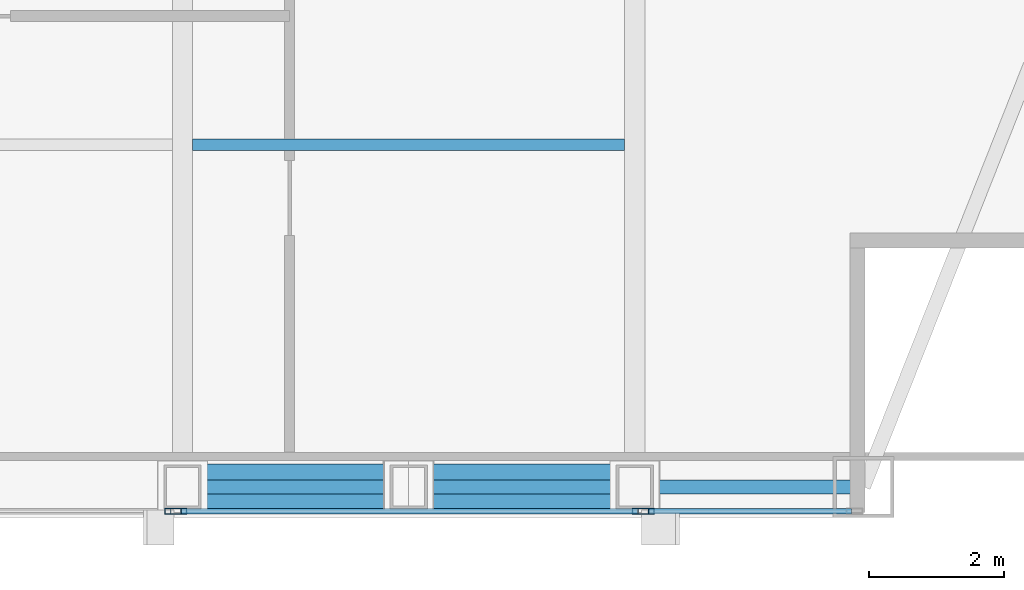
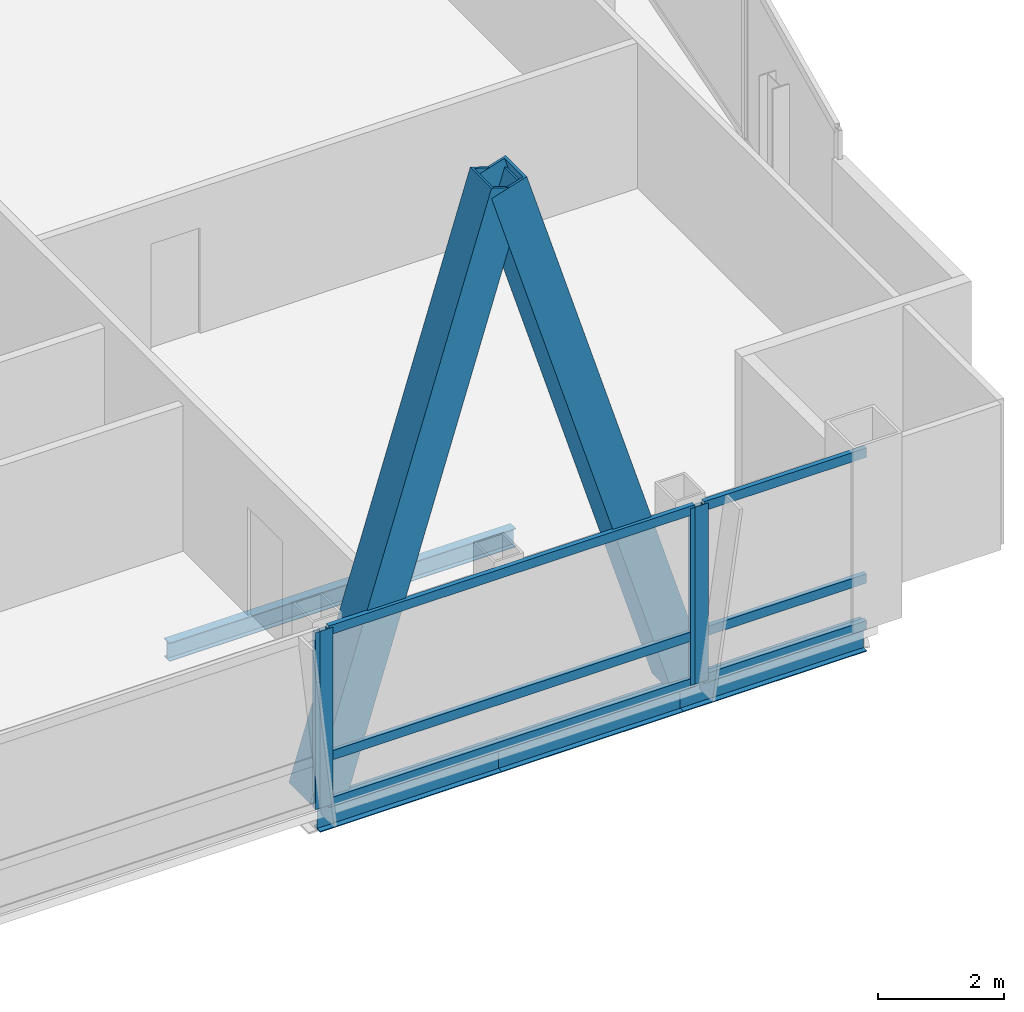
# One storey, part 13 of 29: 12 members, 4 beams, 3 elements without a shape of their own.
"""IFC4 building model written with IfcOpenShell, lengths in metres."""

from ifc_helpers import new_model, si_unit, direction, frame, origin, origin_2d, place, context, subcontext, project, spatial, hollow_rectangle, i_section, extrude, material, material_profile, profile_set, type_object, element, aggregate, save


model = new_model("IFC4")

# Units and contexts
model_context = context("Model", 3, precision=1e-05, world=origin(), true_north=direction((0.0, 1.0)))
body_context = subcontext(model_context, "Body", "Model", "MODEL_VIEW")
ifc_project = project(units=[si_unit("LENGTHUNIT", "METRE"), si_unit("AREAUNIT", "SQUARE_METRE"), si_unit("VOLUMEUNIT", "CUBIC_METRE"), si_unit("PLANEANGLEUNIT", "RADIAN"), si_unit("MASSUNIT", "GRAM", prefix="KILO")], contexts=[model_context])

# Site, building, storey
site_placement = place(None, origin())
site = spatial("IfcSite", under=ifc_project, at=site_placement, CompositionType="ELEMENT")
building_placement = place(site_placement, origin())
building = spatial("IfcBuilding", under=site, at=building_placement, Name="Khoronbel Lancet Exchange", CompositionType="ELEMENT")
storey_placement = place(building_placement, frame((0.0, 0.0, 314.60009765625)))
storey = spatial("IfcBuildingStorey", under=building, at=storey_placement, Name="L81", CompositionType="ELEMENT", Elevation=314.60009765625)

# Beams
ifc_material_1 = material(Name="Steel S355", Category="steel")
ifc_material_profile_1 = material_profile(ifc_material_1, i_section(OverallWidth=0.169921875, OverallDepth=0.360107421875, WebThickness=0.008056640625, FlangeThickness=0.0126953125, at=origin_2d()), Name="IPE 360")
ifc_profile_set_1 = profile_set([ifc_material_profile_1], Name="Steel S355")
beam_type_1 = type_object("IfcBeamType", Name="BM-BJ6", PredefinedType="JOIST", material=ifc_profile_set_1)
beam_1_placement = place(storey_placement, frame((48.14990234375, 15.199951171875, -0.340087890625), z_axis=(1.0, 0.0, 0.0), x_axis=(0.0, 1.0, 0.0)))
element("IfcBeam", 1, at=beam_1_placement, inside=storey, type_object=beam_type_1, Name="Level L81 secondary composite joist J03", PredefinedType="JOIST", context=body_context, shape_type="SweptSolid", body=[
    extrude(i_section(OverallWidth=0.169921875, OverallDepth=0.360107421875, WebThickness=0.008056640625, FlangeThickness=0.0126953125, at=origin_2d()), origin(), (0.0, 0.0, 1.0), 6.375),
])
ifc_material_profile_2 = material_profile(ifc_material_1, i_section(OverallWidth=0.2099609375, OverallDepth=0.550048828125, WebThickness=0.010986328125, FlangeThickness=0.01708984375, at=origin_2d()), Name="IPE 550")
ifc_profile_set_2 = profile_set([ifc_material_profile_2], Name="Steel S355")
beam_type_2 = type_object("IfcBeamType", Name="BM-BSP3", PredefinedType="SPANDREL", material=ifc_profile_set_2)
beam_2_placement = place(storey_placement, frame((48.0, 10.14990234375, -0.43505859375), z_axis=(1.0, 0.0, 0.0), x_axis=(0.0, 1.0, 0.0)))
element("IfcBeam", 2, at=beam_2_placement, inside=storey, type_object=beam_type_2, Name="Level L81 perimeter spandrel beam SP04", PredefinedType="SPANDREL", context=body_context, shape_type="SweptSolid", body=[
    extrude(i_section(OverallWidth=0.2099609375, OverallDepth=0.550048828125, WebThickness=0.010986328125, FlangeThickness=0.01708984375, at=origin_2d()), origin(), (0.0, 0.0, 1.0), 3.33740234375),
])
beam_3_placement = place(storey_placement, frame((51.33740234375, 10.14990234375, -0.43505859375), z_axis=(1.0, 0.0, 0.0), x_axis=(0.0, 1.0, 0.0)))
element("IfcBeam", 3, at=beam_3_placement, inside=storey, type_object=beam_type_2, Name="Level L81 perimeter spandrel beam SP05", PredefinedType="SPANDREL", context=body_context, shape_type="SweptSolid", body=[
    extrude(i_section(OverallWidth=0.2099609375, OverallDepth=0.550048828125, WebThickness=0.010986328125, FlangeThickness=0.01708984375, at=origin_2d()), origin(), (0.0, 0.0, 1.0), 3.337646484375),
])
beam_4_placement = place(storey_placement, frame((54.675048828125, 10.14990234375, -0.43505859375), z_axis=(1.0, 0.0, 0.0), x_axis=(0.0, 1.0, 0.0)))
element("IfcBeam", 4, at=beam_4_placement, inside=storey, type_object=beam_type_2, Name="Level L81 perimeter spandrel beam SP06", PredefinedType="SPANDREL", context=body_context, shape_type="SweptSolid", body=[
    extrude(i_section(OverallWidth=0.2099609375, OverallDepth=0.550048828125, WebThickness=0.010986328125, FlangeThickness=0.01708984375, at=origin_2d()), origin(), (0.0, 0.0, 1.0), 3.375),
])

# Curtain wall, member
ifc_material_2 = material(Name="Low-E Solar Control Insulating Glass", Category="glass")
curtain_wall_type = type_object("IfcCurtainWallType", Name="CW-3", PredefinedType="NOTDEFINED", material=ifc_material_2)
curtain_wall_1_placement = place(storey_placement, origin())
curtain_wall_1 = element("IfcCurtainWall", 5, at=curtain_wall_1_placement, inside=storey, type_object=curtain_wall_type, Name="Unitised curtain wall CW-L81-SCV", PredefinedType="NOTDEFINED")
ifc_material_3 = material(Name="Bronze-Anodised Aluminium 6063-T6", Category="aluminium")
ifc_material_profile_3 = material_profile(ifc_material_3, hollow_rectangle(XDim=0.0849609375, YDim=0.239990234375, WallThickness=0.006103515625, at=origin_2d()), Name="ALU MULLION 85x240")
ifc_profile_set_3 = profile_set([ifc_material_profile_3], Name="Bronze-Anodised Aluminium 6063-T6")
member_type_1 = type_object("IfcMemberType", Name="MEM-CWM1", PredefinedType="MULLION", material=ifc_profile_set_3)
member_1_placement = place(storey_placement, frame((47.857421875, 9.7900390625, 0.0), z_axis=(0.0, 0.0, 1.0), x_axis=(0.0, 1.0, 0.0)))
member_1 = element("IfcMember", 6, at=member_1_placement, type_object=member_type_1, Name="CW3 mullion 3", PredefinedType="MULLION", context=body_context, shape_type="SweptSolid", body=[
    extrude(hollow_rectangle(XDim=0.0849609375, YDim=0.239990234375, WallThickness=0.006103515625, at=origin_2d()), origin(), (0.0, 0.0, 1.0), 3.43994140625),
])
aggregate(curtain_wall_1, [member_1])

# Curtain wall, members
curtain_wall_2_placement = place(storey_placement, origin())
curtain_wall_2 = element("IfcCurtainWall", 7, at=curtain_wall_2_placement, inside=storey, type_object=curtain_wall_type, Name="Unitised curtain wall CW-L81-SEB", PredefinedType="NOTDEFINED")
member_2_placement = place(storey_placement, frame((47.9423828125, 9.7900390625, 0.0), z_axis=(0.0, 0.0, 1.0), x_axis=(0.0, 1.0, 0.0)))
member_2 = element("IfcMember", 8, at=member_2_placement, type_object=member_type_1, Name="CW3 mullion 1", PredefinedType="MULLION", context=body_context, shape_type="SweptSolid", body=[
    extrude(hollow_rectangle(XDim=0.0849609375, YDim=0.239990234375, WallThickness=0.006103515625, at=origin_2d()), origin(), (0.0, 0.0, 1.0), 3.43994140625),
])
member_3_placement = place(storey_placement, frame((54.757568359375, 9.7900390625, 0.0), z_axis=(0.0, 0.0, 1.0), x_axis=(0.0, 1.0, 0.0)))
member_3 = element("IfcMember", 9, at=member_3_placement, type_object=member_type_1, Name="CW3 mullion 2", PredefinedType="MULLION", context=body_context, shape_type="SweptSolid", body=[
    extrude(hollow_rectangle(XDim=0.0849609375, YDim=0.239990234375, WallThickness=0.006103515625, at=origin_2d()), origin(), (0.0, 0.0, 1.0), 3.43994140625),
])

# Curtain wall, member
curtain_wall_3_placement = place(storey_placement, origin())
curtain_wall_3 = element("IfcCurtainWall", 10, at=curtain_wall_3_placement, inside=storey, type_object=curtain_wall_type, Name="Unitised curtain wall CW-L81-SEV", PredefinedType="NOTDEFINED")
member_4_placement = place(storey_placement, frame((54.842529296875, 9.7900390625, 0.0), z_axis=(0.0, 0.0, 1.0), x_axis=(0.0, 1.0, 0.0)))
member_4 = element("IfcMember", 11, at=member_4_placement, type_object=member_type_1, Name="CW3 mullion 1", PredefinedType="MULLION", context=body_context, shape_type="SweptSolid", body=[
    extrude(hollow_rectangle(XDim=0.0849609375, YDim=0.239990234375, WallThickness=0.006103515625, at=origin_2d()), origin(), (0.0, 0.0, 1.0), 3.43994140625),
])

# Member
ifc_material_profile_4 = material_profile(ifc_material_3, hollow_rectangle(XDim=0.0849609375, YDim=0.179931640625, WallThickness=0.0048828125, at=origin_2d()), Name="ALU TRANSOM 85x180")
ifc_profile_set_4 = profile_set([ifc_material_profile_4], Name="Bronze-Anodised Aluminium 6063-T6")
member_type_2 = type_object("IfcMemberType", Name="MEM-CWT1", PredefinedType="USERDEFINED", material=ifc_profile_set_4)
member_5_placement = place(storey_placement, frame((47.985107421875, 9.7900390625, 0.04248046875), z_axis=(1.0, 0.0, 0.0), x_axis=(0.0, 1.0, 0.0)))
member_5 = element("IfcMember", 12, at=member_5_placement, type_object=member_type_2, Name="CW3 transom 1.1", ObjectType="TRANSOM", PredefinedType="USERDEFINED", context=body_context, shape_type="SweptSolid", body=[
    extrude(hollow_rectangle(XDim=0.0849609375, YDim=0.179931640625, WallThickness=0.0048828125, at=origin_2d()), origin(), (0.0, 0.0, 1.0), 6.72998046875),
])

member_6_placement = place(storey_placement, frame((47.985107421875, 9.7900390625, 0.949951171875), z_axis=(1.0, 0.0, 0.0), x_axis=(0.0, 1.0, 0.0)))
member_6 = element("IfcMember", 13, at=member_6_placement, type_object=member_type_2, Name="CW3 transom 1.2", ObjectType="TRANSOM", PredefinedType="USERDEFINED", context=body_context, shape_type="SweptSolid", body=[
    extrude(hollow_rectangle(XDim=0.0849609375, YDim=0.179931640625, WallThickness=0.0048828125, at=origin_2d()), origin(), (0.0, 0.0, 1.0), 6.72998046875),
])

member_7_placement = place(storey_placement, frame((47.985107421875, 9.7900390625, 3.3974609375), z_axis=(1.0, 0.0, 0.0), x_axis=(0.0, 1.0, 0.0)))
member_7 = element("IfcMember", 14, at=member_7_placement, type_object=member_type_2, Name="CW3 transom 1.3", ObjectType="TRANSOM", PredefinedType="USERDEFINED", context=body_context, shape_type="SweptSolid", body=[
    extrude(hollow_rectangle(XDim=0.0849609375, YDim=0.179931640625, WallThickness=0.0048828125, at=origin_2d()), origin(), (0.0, 0.0, 1.0), 6.72998046875),
])

aggregate(curtain_wall_2, [member_2, member_3, member_5, member_6, member_7])

member_8_placement = place(storey_placement, frame((54.885009765625, 9.7900390625, 0.04248046875), z_axis=(1.0, 0.0, 0.0), x_axis=(0.0, 1.0, 0.0)))
member_8 = element("IfcMember", 15, at=member_8_placement, type_object=member_type_2, Name="CW3 transom 1.1", ObjectType="TRANSOM", PredefinedType="USERDEFINED", context=body_context, shape_type="SweptSolid", body=[
    extrude(hollow_rectangle(XDim=0.0849609375, YDim=0.179931640625, WallThickness=0.0048828125, at=origin_2d()), origin(), (0.0, 0.0, 1.0), 2.989990234375),
])

member_9_placement = place(storey_placement, frame((54.885009765625, 9.7900390625, 0.949951171875), z_axis=(1.0, 0.0, 0.0), x_axis=(0.0, 1.0, 0.0)))
member_9 = element("IfcMember", 16, at=member_9_placement, type_object=member_type_2, Name="CW3 transom 1.2", ObjectType="TRANSOM", PredefinedType="USERDEFINED", context=body_context, shape_type="SweptSolid", body=[
    extrude(hollow_rectangle(XDim=0.0849609375, YDim=0.179931640625, WallThickness=0.0048828125, at=origin_2d()), origin(), (0.0, 0.0, 1.0), 2.989990234375),
])

member_10_placement = place(storey_placement, frame((54.885009765625, 9.7900390625, 3.3974609375), z_axis=(1.0, 0.0, 0.0), x_axis=(0.0, 1.0, 0.0)))
member_10 = element("IfcMember", 17, at=member_10_placement, type_object=member_type_2, Name="CW3 transom 1.3", ObjectType="TRANSOM", PredefinedType="USERDEFINED", context=body_context, shape_type="SweptSolid", body=[
    extrude(hollow_rectangle(XDim=0.0849609375, YDim=0.179931640625, WallThickness=0.0048828125, at=origin_2d()), origin(), (0.0, 0.0, 1.0), 2.989990234375),
])

aggregate(curtain_wall_3, [member_4, member_8, member_9, member_10])

# Members
ifc_material_4 = material(Name="Steel S460", Category="steel")
ifc_material_profile_5 = material_profile(ifc_material_4, hollow_rectangle(XDim=0.679931640625, YDim=0.679931640625, WallThickness=0.044921875, at=origin_2d()), Name="BOX 680x680x45")
ifc_profile_set_5 = profile_set([ifc_material_profile_5], Name="Steel S460")
member_type_3 = type_object("IfcMemberType", Name="MEM-MB3", PredefinedType="BRACE", material=ifc_profile_set_5)
for number, where, z_axis, x_axis, name in (
    (18, (48.0, 10.14990234375, 0.0), (0.295248201357, 0.0, 0.955420587802), (0.0, 1.0, 0.0), "Perimeter lancet brace tier 28 S-E-L"),
    (19, (54.675048828125, 10.14990234375, 0.0), (-0.295267916675, 0.0, 0.955414495066), (0.0, -1.0, 0.0), "Perimeter lancet brace tier 28 S-E-R"),
):
    element("IfcMember", number, at=place(storey_placement, frame(where, z_axis=z_axis, x_axis=x_axis)), inside=storey, type_object=member_type_3, Name=name, PredefinedType="BRACE", context=body_context, shape_type="SweptSolid", body=[
        extrude(hollow_rectangle(XDim=0.679931640625, YDim=0.679931640625, WallThickness=0.044921875, at=origin_2d()), origin(), (0.0, 0.0, 1.0), 11.3037109375),
    ])

save(model, "model.ifc")
